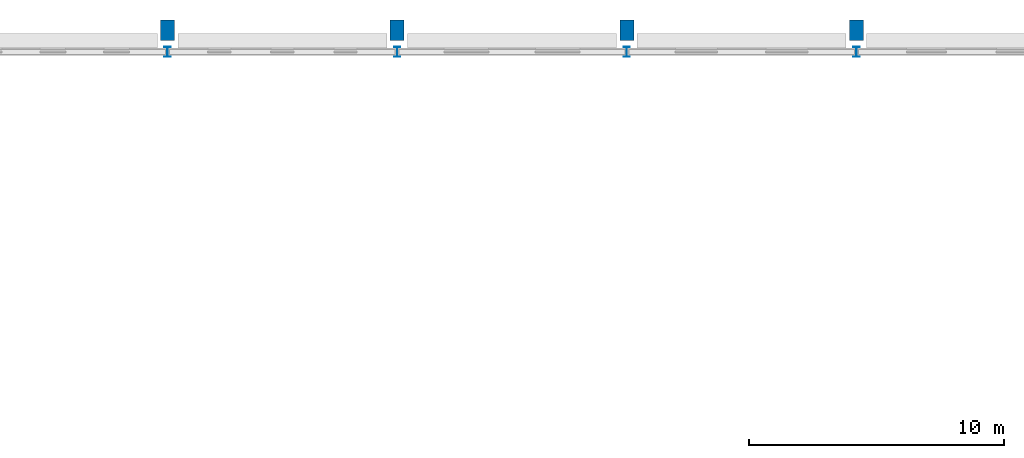
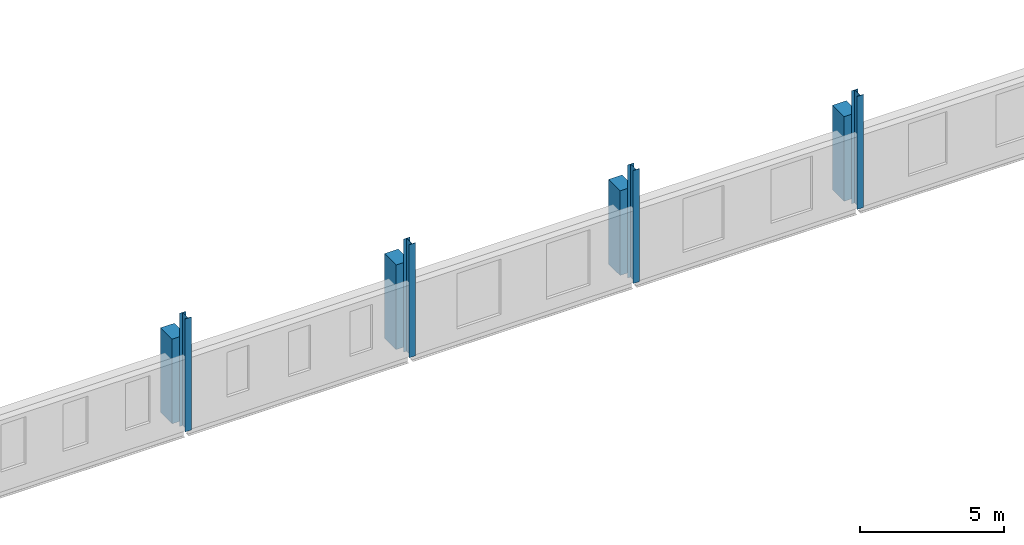
# One storey, part 24 of 132: 8 columns.
"""IFC4 building model written with IfcOpenShell, lengths in metres."""

from ifc_helpers import new_model, si_unit, direction, frame, origin, origin_2d, place, context, subcontext, project, spatial, rectangle, i_section, extrude, material, material_profile, profile_set, type_object, element, save


model = new_model("IFC4")

# Units and contexts
model_context = context("Model", 3, precision=1e-05, world=origin(), true_north=direction((0.0, 1.0)))
body_context = subcontext(model_context, "Body", "Model", "MODEL_VIEW")
ifc_project = project(units=[si_unit("LENGTHUNIT", "METRE"), si_unit("AREAUNIT", "SQUARE_METRE"), si_unit("VOLUMEUNIT", "CUBIC_METRE"), si_unit("PLANEANGLEUNIT", "RADIAN"), si_unit("MASSUNIT", "GRAM", prefix="KILO")], contexts=[model_context])

# Site, building, storey
site_placement = place(None, origin())
site = spatial("IfcSite", under=ifc_project, at=site_placement, CompositionType="ELEMENT")
building_placement = place(site_placement, origin())
building = spatial("IfcBuilding", under=site, at=building_placement, Name="Tharagai Park Tramway Depot", CompositionType="ELEMENT")
storey_placement = place(building_placement, frame((0.0, 0.0, 4.800048828125)))
storey = spatial("IfcBuildingStorey", under=building, at=storey_placement, Name="L01", CompositionType="ELEMENT", Elevation=4.800048828125)

# Columns
ifc_material_1 = material(Name="Steel E350", Category="steel")
ifc_material_profile_1 = material_profile(ifc_material_1, i_section(OverallWidth=0.25, OverallDepth=0.39990234375, WebThickness=0.010498046875, FlangeThickness=0.0126953125, FilletRadius=0.013916015625, at=origin_2d()), Name="ISHB 400")
ifc_profile_set_1 = profile_set([ifc_material_profile_1], Name="Steel E350")
column_type_1 = type_object("IfcColumnType", Name="CL-06", PredefinedType="COLUMN", material=ifc_profile_set_1)
for number, where, z_axis, x_axis, name in (
    (1, (72.0, 144.0, 0.0), (0.0, 0.0, 1.0), (1.0, 0.0, 0.0), "Shed Stanchion CL-06 (72,144)"),
    (2, (81.0, 144.0, 0.0), (0.0, 0.0, 1.0), (1.0, 0.0, 0.0), "Shed Stanchion CL-06 (81,144)"),
    (3, (90.0, 144.0, 0.0), (0.0, 0.0, 1.0), (1.0, 0.0, 0.0), "Shed Stanchion CL-06 (90,144)"),
    (4, (99.0, 144.0, 0.0), (0.0, 0.0, 1.0), (1.0, 0.0, 0.0), "Shed Stanchion CL-06 (99,144)"),
):
    element("IfcColumn", number, at=place(storey_placement, frame(where, z_axis=z_axis, x_axis=x_axis)), inside=storey, type_object=column_type_1, Name=name, PredefinedType="COLUMN", context=body_context, shape_type="SweptSolid", body=[
        extrude(i_section(OverallWidth=0.25, OverallDepth=0.39990234375, WebThickness=0.010498046875, FlangeThickness=0.0126953125, FilletRadius=0.013916015625, at=origin_2d()), origin(), (0.0, 0.0, 1.0), 4.800048828125),
    ])
ifc_material_2 = material(Name="Concrete M40", Category="concrete")
ifc_material_profile_2 = material_profile(ifc_material_2, rectangle(XDim=0.550048828125, YDim=0.800048828125, at=origin_2d()), Name="RC 550x800")
ifc_profile_set_2 = profile_set([ifc_material_profile_2], Name="Concrete M40")
column_type_2 = type_object("IfcColumnType", Name="PL-02", PredefinedType="PILASTER", material=ifc_profile_set_2)
for number, where, z_axis, x_axis, name in (
    (5, (72.0, 144.85009765625, 0.0), (0.0, 0.0, 1.0), (1.0, 0.0, 0.0), "L01 Stepped Gothic Buttress PL-02 N-072"),
    (6, (81.0, 144.85009765625, 0.0), (0.0, 0.0, 1.0), (1.0, 0.0, 0.0), "L01 Stepped Gothic Buttress PL-02 N-081"),
    (7, (90.0, 144.85009765625, 0.0), (0.0, 0.0, 1.0), (1.0, 0.0, 0.0), "L01 Stepped Gothic Buttress PL-02 N-090"),
    (8, (99.0, 144.85009765625, 0.0), (0.0, 0.0, 1.0), (1.0, 0.0, 0.0), "L01 Stepped Gothic Buttress PL-02 N-099"),
):
    element("IfcColumn", number, at=place(storey_placement, frame(where, z_axis=z_axis, x_axis=x_axis)), inside=storey, type_object=column_type_2, Name=name, PredefinedType="PILASTER", context=body_context, shape_type="SweptSolid", body=[
        extrude(rectangle(XDim=0.550048828125, YDim=0.800048828125, at=origin_2d()), origin(), (0.0, 0.0, 1.0), 3.599853515625),
    ])

save(model, "model.ifc")
